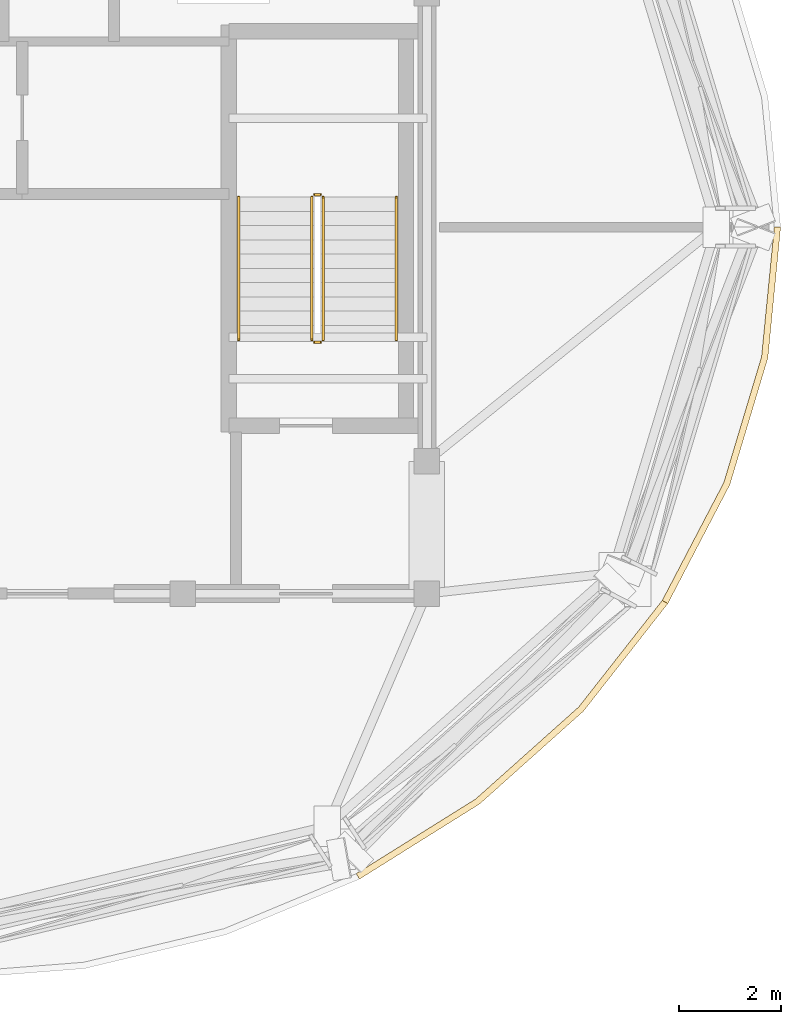
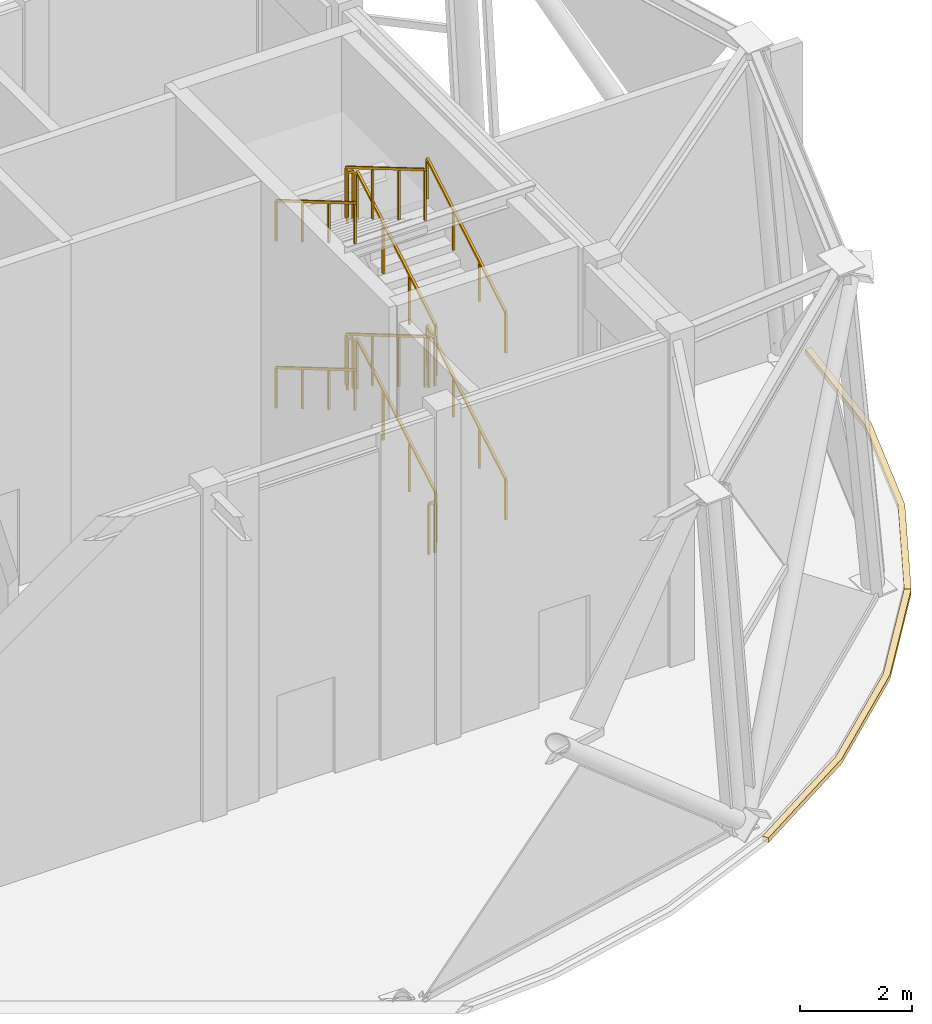
# One storey, part 8 of 9: 12 railings, 2 coverings.
"""IFC4 building model written with IfcOpenShell, lengths in metres."""

from ifc_helpers import new_model, si_unit, direction, frame, origin, origin_2d, place, context, subcontext, project, spatial, polyline, rectangle, outline, extrude, material, layer, layer_set, type_object, element, save


model = new_model("IFC4")

# Units and contexts
model_context = context("Model", 3, precision=1e-05, world=origin(), true_north=direction((0.0, 1.0)))
body_context = subcontext(model_context, "Body", "Model", "MODEL_VIEW")
ifc_project = project(units=[si_unit("LENGTHUNIT", "METRE"), si_unit("AREAUNIT", "SQUARE_METRE"), si_unit("VOLUMEUNIT", "CUBIC_METRE"), si_unit("PLANEANGLEUNIT", "RADIAN"), si_unit("MASSUNIT", "GRAM", prefix="KILO")], contexts=[model_context])

# Site, building, storey
site_placement = place(None, origin())
site = spatial("IfcSite", under=ifc_project, at=site_placement, CompositionType="ELEMENT")
building_placement = place(site_placement, origin())
building = spatial("IfcBuilding", under=site, at=building_placement, Name="Vantalir Tower", CompositionType="ELEMENT")
storey_placement = place(building_placement, frame((0.0, 0.0, 319.0)))
storey = spatial("IfcBuildingStorey", under=building, at=storey_placement, Name="L78", CompositionType="ELEMENT", Elevation=319.0)

# Coverings
ifc_material_1 = material(Name="Anodised champagne aluminium sill fascia", Category="aluminium")
ifc_layer = layer(ifc_material_1, 0.125)
ifc_layer_set = layer_set([ifc_layer], Name="Anodised champagne aluminium sill fascia")
covering_type = type_object("IfcCoveringType", Name="COV-SLAB-FASCIA-125", PredefinedType="CLADDING", material=ifc_layer_set)
covering_1_placement = place(storey_placement, frame((0.0, 0.0, -0.179931640625)))
element("IfcCovering", 1, at=covering_1_placement, inside=storey, type_object=covering_type, Name="L78 Perimeter Slab-Edge Sill Fascia 11", PredefinedType="CLADDING", context=body_context, shape_type="SweptSolid", body=[
    extrude(outline(polyline([(39.77587890625, 12.19091796875), (42.138916015625, 13.6689453125), (44.178955078125, 15.492919921875), (45.833984375, 17.60400390625), (45.72509765625, 17.6669921875), (44.0830078125, 15.572998046875), (42.05810546875, 13.764892578125), (39.712890625, 12.299072265625), (39.77587890625, 12.19091796875)])), origin(), (0.0, 0.0, 1.0), 0.10498046875),
])
covering_2_placement = place(storey_placement, frame((0.0, 0.0, -0.179931640625)))
element("IfcCovering", 2, at=covering_2_placement, inside=storey, type_object=covering_type, Name="L78 Perimeter Slab-Edge Sill Fascia 12", PredefinedType="CLADDING", context=body_context, shape_type="SweptSolid", body=[
    extrude(outline(polyline([(45.833984375, 17.60400390625), (47.052978515625, 19.94091796875), (47.800048828125, 22.431884765625), (48.051025390625, 25.0), (47.926025390625, 25.0), (47.676025390625, 22.452880859375), (46.93505859375, 19.98388671875), (45.72509765625, 17.6669921875), (45.833984375, 17.60400390625)])), origin(), (0.0, 0.0, 1.0), 0.10498046875),
])

# Railings
ifc_material_2 = material(Name="Anodised aluminium and stainless steel guard", Category="steel")
railing_type_1 = type_object("IfcRailingType", Name="RAL-GUARD-1120", PredefinedType="GUARDRAIL", material=ifc_material_2)
railing_1_placement = place(storey_placement, frame((39.06005859375, 22.7900390625, 0.164794921875)))
element("IfcRailing", 3, at=railing_1_placement, inside=storey, type_object=railing_type_1, Name="L78 ST2 stair guard 1", PredefinedType="GUARDRAIL", context=body_context, shape_type="SweptSolid", body=[
    extrude(rectangle(XDim=0.048095703125, YDim=0.048095703125, at=origin_2d()), frame((0.0, 0.0, 1.09619140625), z_axis=(0.0, 0.861851137157, 0.507161332695), x_axis=(-1.0, 0.0, 0.0)), (0.0, 0.0, 1.0), 3.248779296875),
    extrude(rectangle(XDim=0.0419921875, YDim=0.0419921875, at=origin_2d()), origin(), (0.0, 0.0, 1.0), 1.072021484375),
    extrude(rectangle(XDim=0.0419921875, YDim=0.0419921875, at=origin_2d()), frame((0.0, 0.933349609375, 0.54931640625)), (0.0, 0.0, 1.0), 1.072021484375),
    extrude(rectangle(XDim=0.0419921875, YDim=0.0419921875, at=origin_2d()), frame((0.0, 1.86669921875, 1.098388671875)), (0.0, 0.0, 1.0), 1.072021484375),
    extrude(rectangle(XDim=0.0419921875, YDim=0.0419921875, at=origin_2d()), frame((0.0, 2.800048828125, 1.647705078125)), (0.0, 0.0, 1.0), 1.072021484375),
])
railing_2_placement = place(storey_placement, frame((39.010009765625, 25.639892578125, 1.8125)))
element("IfcRailing", 4, at=railing_2_placement, inside=storey, type_object=railing_type_1, Name="L78 ST2 stair guard 2", PredefinedType="GUARDRAIL", context=body_context, shape_type="SweptSolid", body=[
    extrude(rectangle(XDim=0.048095703125, YDim=0.048095703125, at=origin_2d()), frame((0.0, 0.0, 1.09619140625), z_axis=(-1.0, 0.0, 0.0), x_axis=(0.0, -1.0, 0.0)), (0.0, 0.0, 1.0), 0.1201171875),
    extrude(rectangle(XDim=0.0419921875, YDim=0.0419921875, at=origin_2d()), origin(), (0.0, 0.0, 1.0), 1.072021484375),
    extrude(rectangle(XDim=0.0419921875, YDim=0.0419921875, at=origin_2d()), frame((-0.1201171875, 0.0, 0.0)), (0.0, 0.0, 1.0), 1.072021484375),
])
railing_3_placement = place(storey_placement, frame((38.840087890625, 25.590087890625, 1.977294921875)))
element("IfcRailing", 5, at=railing_3_placement, inside=storey, type_object=railing_type_1, Name="L78 ST2 stair guard 3", PredefinedType="GUARDRAIL", context=body_context, shape_type="SweptSolid", body=[
    extrude(rectangle(XDim=0.048095703125, YDim=0.048095703125, at=origin_2d()), frame((0.0, 0.0, 1.09619140625), z_axis=(0.0, -0.861851137157, 0.507161332695), x_axis=(1.0, 0.0, 0.0)), (0.0, 0.0, 1.0), 3.248779296875),
    extrude(rectangle(XDim=0.0419921875, YDim=0.0419921875, at=origin_2d()), origin(), (0.0, 0.0, 1.0), 1.072021484375),
    extrude(rectangle(XDim=0.0419921875, YDim=0.0419921875, at=origin_2d()), frame((0.0, -0.933349609375, 0.54931640625)), (0.0, 0.0, 1.0), 1.072021484375),
    extrude(rectangle(XDim=0.0419921875, YDim=0.0419921875, at=origin_2d()), frame((0.0, -1.86669921875, 1.098388671875)), (0.0, 0.0, 1.0), 1.072021484375),
    extrude(rectangle(XDim=0.0419921875, YDim=0.0419921875, at=origin_2d()), frame((0.0, -2.800048828125, 1.647705078125)), (0.0, 0.0, 1.0), 1.072021484375),
])
railing_4_placement = place(storey_placement, frame((39.010009765625, 22.739990234375, 3.625)))
element("IfcRailing", 6, at=railing_4_placement, inside=storey, type_object=railing_type_1, Name="L78 ST2 stair guard 4", PredefinedType="GUARDRAIL", context=body_context, shape_type="SweptSolid", body=[
    extrude(rectangle(XDim=0.048095703125, YDim=0.048095703125, at=origin_2d()), frame((0.0, 0.0, 1.09619140625), z_axis=(-1.0, 0.0, 0.0), x_axis=(0.0, -1.0, 0.0)), (0.0, 0.0, 1.0), 0.1201171875),
    extrude(rectangle(XDim=0.0419921875, YDim=0.0419921875, at=origin_2d()), origin(), (0.0, 0.0, 1.0), 1.072021484375),
    extrude(rectangle(XDim=0.0419921875, YDim=0.0419921875, at=origin_2d()), frame((-0.1201171875, 0.0, 0.0)), (0.0, 0.0, 1.0), 1.072021484375),
])
railing_5_placement = place(storey_placement, frame((39.06005859375, 22.7900390625, 3.789794921875)))
element("IfcRailing", 7, at=railing_5_placement, inside=storey, type_object=railing_type_1, Name="L78 ST2 stair guard 5", PredefinedType="GUARDRAIL", context=body_context, shape_type="SweptSolid", body=[
    extrude(rectangle(XDim=0.048095703125, YDim=0.048095703125, at=origin_2d()), frame((0.0, 0.0, 1.09619140625), z_axis=(0.0, 0.861851137157, 0.507161332695), x_axis=(-1.0, 0.0, 0.0)), (0.0, 0.0, 1.0), 3.248779296875),
    extrude(rectangle(XDim=0.0419921875, YDim=0.0419921875, at=origin_2d()), origin(), (0.0, 0.0, 1.0), 1.072021484375),
    extrude(rectangle(XDim=0.0419921875, YDim=0.0419921875, at=origin_2d()), frame((0.0, 0.933349609375, 0.54931640625)), (0.0, 0.0, 1.0), 1.072021484375),
    extrude(rectangle(XDim=0.0419921875, YDim=0.0419921875, at=origin_2d()), frame((0.0, 1.86669921875, 1.098388671875)), (0.0, 0.0, 1.0), 1.072021484375),
    extrude(rectangle(XDim=0.0419921875, YDim=0.0419921875, at=origin_2d()), frame((0.0, 2.800048828125, 1.647705078125)), (0.0, 0.0, 1.0), 1.072021484375),
])
railing_6_placement = place(storey_placement, frame((39.010009765625, 25.639892578125, 5.4375)))
element("IfcRailing", 8, at=railing_6_placement, inside=storey, type_object=railing_type_1, Name="L78 ST2 stair guard 6", PredefinedType="GUARDRAIL", context=body_context, shape_type="SweptSolid", body=[
    extrude(rectangle(XDim=0.048095703125, YDim=0.048095703125, at=origin_2d()), frame((0.0, 0.0, 1.09619140625), z_axis=(-1.0, 0.0, 0.0), x_axis=(0.0, -1.0, 0.0)), (0.0, 0.0, 1.0), 0.1201171875),
    extrude(rectangle(XDim=0.0419921875, YDim=0.0419921875, at=origin_2d()), origin(), (0.0, 0.0, 1.0), 1.072021484375),
    extrude(rectangle(XDim=0.0419921875, YDim=0.0419921875, at=origin_2d()), frame((-0.1201171875, 0.0, 0.0)), (0.0, 0.0, 1.0), 1.072021484375),
])
railing_7_placement = place(storey_placement, frame((38.840087890625, 25.590087890625, 5.602294921875)))
element("IfcRailing", 9, at=railing_7_placement, inside=storey, type_object=railing_type_1, Name="L78 ST2 stair guard 7", PredefinedType="GUARDRAIL", context=body_context, shape_type="SweptSolid", body=[
    extrude(rectangle(XDim=0.048095703125, YDim=0.048095703125, at=origin_2d()), frame((0.0, 0.0, 1.09619140625), z_axis=(0.0, -0.861851137157, 0.507161332695), x_axis=(1.0, 0.0, 0.0)), (0.0, 0.0, 1.0), 3.248779296875),
    extrude(rectangle(XDim=0.0419921875, YDim=0.0419921875, at=origin_2d()), origin(), (0.0, 0.0, 1.0), 1.072021484375),
    extrude(rectangle(XDim=0.0419921875, YDim=0.0419921875, at=origin_2d()), frame((0.0, -0.933349609375, 0.54931640625)), (0.0, 0.0, 1.0), 1.072021484375),
    extrude(rectangle(XDim=0.0419921875, YDim=0.0419921875, at=origin_2d()), frame((0.0, -1.86669921875, 1.098388671875)), (0.0, 0.0, 1.0), 1.072021484375),
    extrude(rectangle(XDim=0.0419921875, YDim=0.0419921875, at=origin_2d()), frame((0.0, -2.800048828125, 1.647705078125)), (0.0, 0.0, 1.0), 1.072021484375),
])
railing_8_placement = place(storey_placement, frame((39.010009765625, 22.739990234375, 0.0)))
element("IfcRailing", 10, at=railing_8_placement, inside=storey, type_object=railing_type_1, Name="L78 ST2 stair guard 8", PredefinedType="GUARDRAIL", context=body_context, shape_type="SweptSolid", body=[
    extrude(rectangle(XDim=0.048095703125, YDim=0.048095703125, at=origin_2d()), frame((0.0, 0.0, 1.09619140625), z_axis=(-1.0, 0.0, 0.0), x_axis=(0.0, -1.0, 0.0)), (0.0, 0.0, 1.0), 0.1201171875),
    extrude(rectangle(XDim=0.0419921875, YDim=0.0419921875, at=origin_2d()), origin(), (0.0, 0.0, 1.0), 1.072021484375),
    extrude(rectangle(XDim=0.0419921875, YDim=0.0419921875, at=origin_2d()), frame((-0.1201171875, 0.0, 0.0)), (0.0, 0.0, 1.0), 1.072021484375),
])
ifc_material_3 = material(Name="Brushed stainless steel tubular handrail", Category="steel")
railing_type_2 = type_object("IfcRailingType", Name="RAL-HANDRAIL-900", PredefinedType="HANDRAIL", material=ifc_material_3)
railing_9_placement = place(storey_placement, frame((40.5, 22.7900390625, 0.164794921875)))
element("IfcRailing", 11, at=railing_9_placement, inside=storey, type_object=railing_type_2, Name="L78 ST2 stair handrail 1", PredefinedType="HANDRAIL", context=body_context, shape_type="SweptSolid", body=[
    extrude(rectangle(XDim=0.048095703125, YDim=0.048095703125, at=origin_2d()), frame((0.0, 0.0, 0.8759765625), z_axis=(0.0, 0.861851137157, 0.507161332695), x_axis=(-1.0, 0.0, 0.0)), (0.0, 0.0, 1.0), 3.248779296875),
    extrude(rectangle(XDim=0.0419921875, YDim=0.0419921875, at=origin_2d()), origin(), (0.0, 0.0, 1.0), 0.851806640625),
    extrude(rectangle(XDim=0.0419921875, YDim=0.0419921875, at=origin_2d()), frame((0.0, 0.933349609375, 0.54931640625)), (0.0, 0.0, 1.0), 0.851806640625),
    extrude(rectangle(XDim=0.0419921875, YDim=0.0419921875, at=origin_2d()), frame((0.0, 1.86669921875, 1.098388671875)), (0.0, 0.0, 1.0), 0.851806640625),
    extrude(rectangle(XDim=0.0419921875, YDim=0.0419921875, at=origin_2d()), frame((0.0, 2.800048828125, 1.647705078125)), (0.0, 0.0, 1.0), 0.851806640625),
])
railing_10_placement = place(storey_placement, frame((37.39990234375, 25.590087890625, 1.977294921875)))
element("IfcRailing", 12, at=railing_10_placement, inside=storey, type_object=railing_type_2, Name="L78 ST2 stair handrail 2", PredefinedType="HANDRAIL", context=body_context, shape_type="SweptSolid", body=[
    extrude(rectangle(XDim=0.048095703125, YDim=0.048095703125, at=origin_2d()), frame((0.0, 0.0, 0.8759765625), z_axis=(0.0, -0.861851137157, 0.507161332695), x_axis=(1.0, 0.0, 0.0)), (0.0, 0.0, 1.0), 3.248779296875),
    extrude(rectangle(XDim=0.0419921875, YDim=0.0419921875, at=origin_2d()), origin(), (0.0, 0.0, 1.0), 0.851806640625),
    extrude(rectangle(XDim=0.0419921875, YDim=0.0419921875, at=origin_2d()), frame((0.0, -0.933349609375, 0.54931640625)), (0.0, 0.0, 1.0), 0.851806640625),
    extrude(rectangle(XDim=0.0419921875, YDim=0.0419921875, at=origin_2d()), frame((0.0, -1.86669921875, 1.098388671875)), (0.0, 0.0, 1.0), 0.851806640625),
    extrude(rectangle(XDim=0.0419921875, YDim=0.0419921875, at=origin_2d()), frame((0.0, -2.800048828125, 1.647705078125)), (0.0, 0.0, 1.0), 0.851806640625),
])
railing_11_placement = place(storey_placement, frame((40.5, 22.7900390625, 3.789794921875)))
element("IfcRailing", 13, at=railing_11_placement, inside=storey, type_object=railing_type_2, Name="L78 ST2 stair handrail 3", PredefinedType="HANDRAIL", context=body_context, shape_type="SweptSolid", body=[
    extrude(rectangle(XDim=0.048095703125, YDim=0.048095703125, at=origin_2d()), frame((0.0, 0.0, 0.8759765625), z_axis=(0.0, 0.861851137157, 0.507161332695), x_axis=(-1.0, 0.0, 0.0)), (0.0, 0.0, 1.0), 3.248779296875),
    extrude(rectangle(XDim=0.0419921875, YDim=0.0419921875, at=origin_2d()), origin(), (0.0, 0.0, 1.0), 0.851806640625),
    extrude(rectangle(XDim=0.0419921875, YDim=0.0419921875, at=origin_2d()), frame((0.0, 0.933349609375, 0.54931640625)), (0.0, 0.0, 1.0), 0.851806640625),
    extrude(rectangle(XDim=0.0419921875, YDim=0.0419921875, at=origin_2d()), frame((0.0, 1.86669921875, 1.098388671875)), (0.0, 0.0, 1.0), 0.851806640625),
    extrude(rectangle(XDim=0.0419921875, YDim=0.0419921875, at=origin_2d()), frame((0.0, 2.800048828125, 1.647705078125)), (0.0, 0.0, 1.0), 0.851806640625),
])
railing_12_placement = place(storey_placement, frame((37.39990234375, 25.590087890625, 5.602294921875)))
element("IfcRailing", 14, at=railing_12_placement, inside=storey, type_object=railing_type_2, Name="L78 ST2 stair handrail 4", PredefinedType="HANDRAIL", context=body_context, shape_type="SweptSolid", body=[
    extrude(rectangle(XDim=0.048095703125, YDim=0.048095703125, at=origin_2d()), frame((0.0, 0.0, 0.8759765625), z_axis=(0.0, -0.861851137157, 0.507161332695), x_axis=(1.0, 0.0, 0.0)), (0.0, 0.0, 1.0), 3.248779296875),
    extrude(rectangle(XDim=0.0419921875, YDim=0.0419921875, at=origin_2d()), origin(), (0.0, 0.0, 1.0), 0.851806640625),
    extrude(rectangle(XDim=0.0419921875, YDim=0.0419921875, at=origin_2d()), frame((0.0, -0.933349609375, 0.54931640625)), (0.0, 0.0, 1.0), 0.851806640625),
    extrude(rectangle(XDim=0.0419921875, YDim=0.0419921875, at=origin_2d()), frame((0.0, -1.86669921875, 1.098388671875)), (0.0, 0.0, 1.0), 0.851806640625),
    extrude(rectangle(XDim=0.0419921875, YDim=0.0419921875, at=origin_2d()), frame((0.0, -2.800048828125, 1.647705078125)), (0.0, 0.0, 1.0), 0.851806640625),
])

save(model, "model.ifc")
